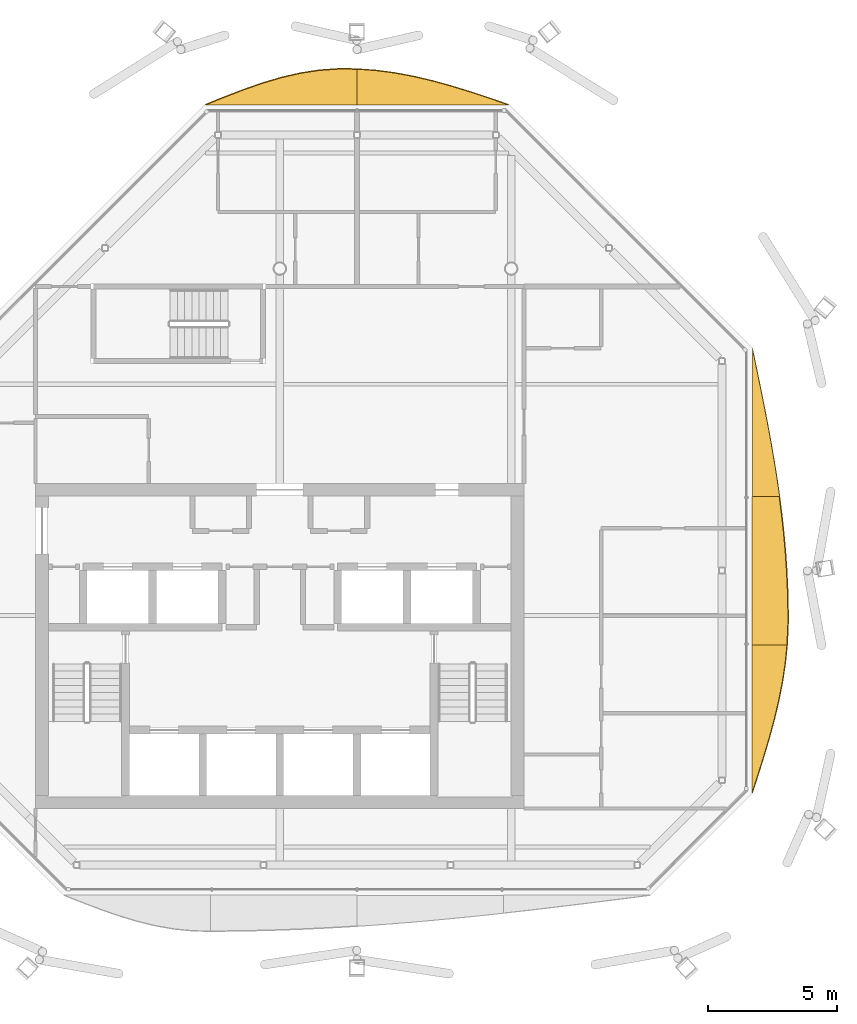
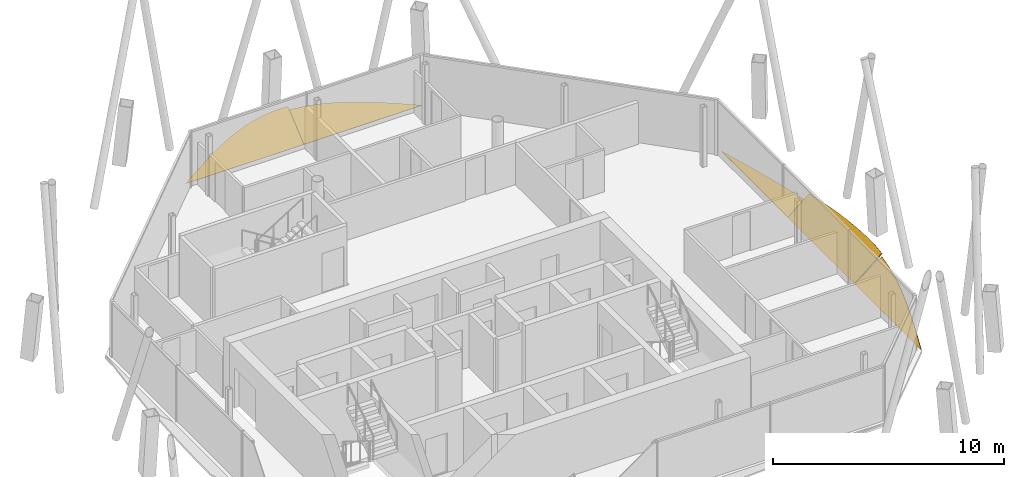
# One storey, part 14 of 14: 5 shading devices.
"""IFC4 building model written with IfcOpenShell, lengths in metres."""

from ifc_helpers import new_model, si_unit, direction, frame, origin, place, context, subcontext, project, spatial, polyline, outline, extrude, material, layer, layer_set, type_object, element, save


model = new_model("IFC4")

# Units and contexts
model_context = context("Model", 3, precision=1e-05, world=origin(), true_north=direction((0.0, 1.0)))
body_context = subcontext(model_context, "Body", "Model", "MODEL_VIEW")
ifc_project = project(units=[si_unit("LENGTHUNIT", "METRE"), si_unit("AREAUNIT", "SQUARE_METRE"), si_unit("VOLUMEUNIT", "CUBIC_METRE"), si_unit("PLANEANGLEUNIT", "RADIAN"), si_unit("MASSUNIT", "GRAM", prefix="KILO")], contexts=[model_context])

# Site, building, storey
site_placement = place(None, origin())
site = spatial("IfcSite", under=ifc_project, at=site_placement, CompositionType="ELEMENT")
building_placement = place(site_placement, origin())
building = spatial("IfcBuilding", under=site, at=building_placement, Name="Tskaro Facet Tower", CompositionType="ELEMENT")
storey_placement = place(building_placement, frame((0.0, 0.0, 287.85009765625)))
storey = spatial("IfcBuildingStorey", under=building, at=storey_placement, Name="L77", CompositionType="ELEMENT", Elevation=287.85009765625)

# Shading devices
ifc_material = material(Name="Bronze anodised aluminium 6063-T6", Category="aluminium")
ifc_layer = layer(ifc_material, 0.06005859375, Name="Bronze anodised aluminium 6063-T6")
ifc_layer_set = layer_set([ifc_layer], Name="Bronze anodised aluminium 6063-T6")
shading_device_type = type_object("IfcShadingDeviceType", Name="Bronze sun blade (FN1)", PredefinedType="USERDEFINED", material=ifc_layer_set)
shading_device_1_placement = place(storey_placement, frame((18.365478515625, -11.39990234375, 0.049072265625), z_axis=(-0.573530314962, -1.4480673e-05, 0.81918433677), x_axis=(-8.305105e-06, 0.999999999895, 1.1862341e-05)))
element("IfcShadingDevice", 1, at=shading_device_1_placement, inside=storey, type_object=shading_device_type, Name="Fin blade east 1", ObjectType="FIN", PredefinedType="USERDEFINED", context=body_context, shape_type="SweptSolid", body=[
    extrude(outline(polyline([(0.0, 0.0), (5.766601561895401, 4.8845015171256284e-21), (5.766601563084218, -1.6621647770529129), (5.045654295614608, -1.572961290022965), (4.324951173456693, -1.4398761198907266), (3.604003905218873, -1.2668893636430134), (2.8833007814135385, -1.0586212543880473), (2.1623535149914215, -0.8207519802404255), (1.4416503898007078, -0.5602618280905458), (0.7207031242936042, -0.2839910627792403), (0.0, 0.0)])), origin(), (0.0, 0.0, -1.0), 0.06005859375),
])
shading_device_2_placement = place(storey_placement, frame((18.361328125, -5.63330078125, 0.0458984375), z_axis=(-0.642752395715, 2.785291e-06, 0.766073989765), x_axis=(1.790252e-06, 0.999999999996, -2.133739e-06)))
element("IfcShadingDevice", 2, at=shading_device_2_placement, inside=storey, type_object=shading_device_type, Name="Fin blade east 2", ObjectType="FIN", PredefinedType="USERDEFINED", context=body_context, shape_type="SweptSolid", body=[
    extrude(outline(polyline([(0.0, 0.0), (5.766601562477632, 1.2211253792814071e-21), (5.766601562780648, -1.386531780725206), (5.045898437508397, -1.5064423220336987), (4.324951171535, -1.6088478146018936), (3.604248046882967, -1.6925594811953737), (2.883300780991078, -1.7570162324661642), (2.162353515777775, -1.8008723692082365), (1.4416503904729776, -1.823910753827885), (1.0148925780101894, -1.8277243309358913), (0.7207031254555653, -1.8234098801020053), (1.1554115287817262e-10, -1.7773030030516608), (0.0, 0.0)])), origin(), (0.0, 0.0, -1.0), 0.06005859375),
])
shading_device_3_placement = place(storey_placement, frame((18.37939453125, 0.13330078125, 0.056396484375), z_axis=(-0.34184680657, 1.2321935e-05, 0.939755692021), x_axis=(4.212214e-06, 0.999999999924, -1.1579609e-05)))
element("IfcShadingDevice", 3, at=shading_device_3_placement, inside=storey, type_object=shading_device_type, Name="Fin blade east 3", ObjectType="FIN", PredefinedType="USERDEFINED", context=body_context, shape_type="SweptSolid", body=[
    extrude(outline(polyline([(0.0, 0.0), (5.766601562062228, 0.0), (5.045898437334614, -0.16002519311680646), (4.324951173264568, -0.3181939823604599), (3.604248046730499, -0.47281688124384036), (2.8833007805920468, -0.6219540272007782), (2.162597657381725, -0.7637490163581203), (1.4416503896793353, -0.8968252534637782), (0.7209472638728168, -1.019472308493597), (-7.755511404160321e-10, -1.1303761013514697), (0.0, 0.0)])), origin(), (0.0, 0.0, -1.0), 0.06005859375),
])
shading_device_4_placement = place(storey_placement, frame((8.89990234375, 15.365478515625, 0.049072265625), z_axis=(3.299382e-06, -0.573511891286, 0.819197235434), x_axis=(-0.999999999995, -1.892235e-06, 2.702845e-06)))
element("IfcShadingDevice", 4, at=shading_device_4_placement, inside=storey, type_object=shading_device_type, Name="Fin blade north 1", ObjectType="FIN", PredefinedType="USERDEFINED", context=body_context, shape_type="SweptSolid", body=[
    extrude(outline(polyline([(0.0, 0.0), (5.899902343717887, 0.0), (5.899902343775318, -1.69636610129461), (5.162353515403348, -1.6313435630395283), (4.424804687701955, -1.5128189523259363), (3.6875000001075326, -1.3447124001173227), (2.949951171830867, -1.1327841393119737), (2.212402343891572, -0.8836744358865176), (1.4748535154300861, -0.6058436037477439), (0.7373046873685688, -0.3078319925805514), (0.0, 0.0)])), origin(), (0.0, 0.0, -1.0), 0.06005859375),
])
shading_device_5_placement = place(storey_placement, frame((3.0, 15.361328125, 0.0458984375), z_axis=(-2.5278679e-05, -0.642720406496, 0.766100827852), x_axis=(-0.99999999968, 1.6247123e-05, -1.9366017e-05)))
element("IfcShadingDevice", 5, at=shading_device_5_placement, inside=storey, type_object=shading_device_type, Name="Fin blade north 2", ObjectType="FIN", PredefinedType="USERDEFINED", context=body_context, shape_type="SweptSolid", body=[
    extrude(outline(polyline([(0.0, 0.0), (5.899902341864947, 9.994823341478233e-21), (5.162597657055249, -0.38870751619453603), (4.4250488269814445, -0.7597229461874977), (3.687499999529018, -1.0959153127822643), (2.9499511734232584, -1.3820303054278906), (2.21240234282076, -1.604877316554092), (1.4750976538006804, -1.7540775869111824), (0.737548826158055, -1.823222849049004), (0.49560546565613767, -1.8277243276802935), (-3.2894377567681873e-09, -1.81403285545144), (0.0, 0.0)])), origin(), (0.0, 0.0, -1.0), 0.06005859375),
])

save(model, "model.ifc")
